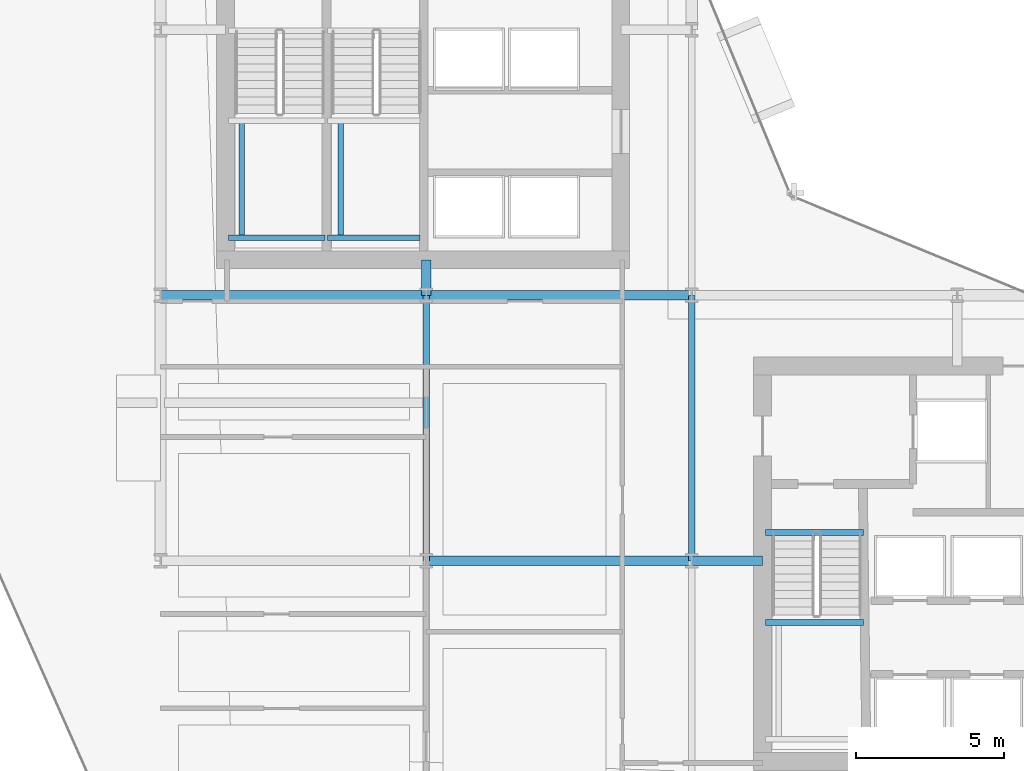
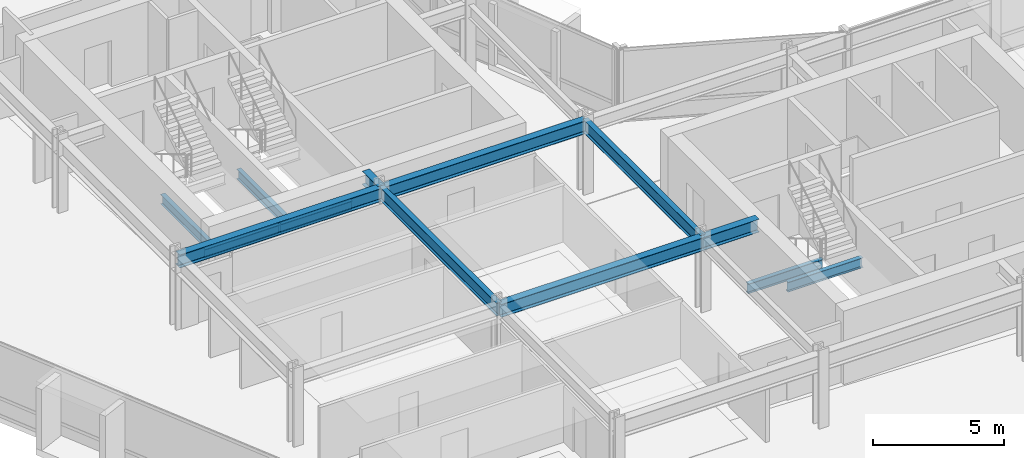
# One storey, part 7 of 34: 13 beams.
"""IFC4 building model written with IfcOpenShell, lengths in metres."""

from ifc_helpers import new_model, si_unit, direction, frame, origin, origin_2d, place, context, subcontext, project, spatial, i_section, extrude, material, material_profile, profile_set, type_object, element, save


model = new_model("IFC4")

# Units and contexts
model_context = context("Model", 3, precision=1e-05, world=origin(), true_north=direction((0.0, 1.0)))
body_context = subcontext(model_context, "Body", "Model", "MODEL_VIEW")
ifc_project = project(units=[si_unit("LENGTHUNIT", "METRE"), si_unit("AREAUNIT", "SQUARE_METRE"), si_unit("VOLUMEUNIT", "CUBIC_METRE"), si_unit("PLANEANGLEUNIT", "RADIAN"), si_unit("MASSUNIT", "GRAM", prefix="KILO")], contexts=[model_context])

# Site, building, storey
site_placement = place(None, origin())
site = spatial("IfcSite", under=ifc_project, at=site_placement, CompositionType="ELEMENT")
building_placement = place(site_placement, origin())
building = spatial("IfcBuilding", under=site, at=building_placement, Name="Solvaryn Broadcast Tower", CompositionType="ELEMENT")
storey_placement = place(building_placement, frame((0.0, 0.0, 61.89990234375)))
storey = spatial("IfcBuildingStorey", under=building, at=storey_placement, Name="L14", CompositionType="ELEMENT", Elevation=61.89990234375)

# Beams
ifc_material_1 = material(Name="Steel ASTM A992 Grade 50", Category="steel")
ifc_material_profile_1 = material_profile(ifc_material_1, i_section(OverallWidth=0.323974609375, OverallDepth=0.611083984375, WebThickness=0.0126953125, FlangeThickness=0.01904296875, FilletRadius=0.014892578125, at=origin_2d()))
ifc_profile_set_1 = profile_set([ifc_material_profile_1], Name="Steel ASTM A992 Grade 50")
beam_type_1 = type_object("IfcBeamType", Name="BM-B1-W24X104", PredefinedType="BEAM", material=ifc_profile_set_1)
for number, where, z_axis, x_axis, name in (
    (1, (18.0, 18.0, 3.114501953125), (1.0, 0.0, 0.0), (0.0, 1.0, 0.0), "L14 Primary Beam X (18-27 @ Y=18)"),
    (2, (9.0, 27.0, 3.114501953125), (1.0, 0.0, 0.0), (0.0, 1.0, 0.0), "L14 Primary Beam X (9-18 @ Y=27)"),
    (3, (18.0, 27.0, 3.114501953125), (1.0, 0.0, 0.0), (0.0, 1.0, 0.0), "L14 Primary Beam X (18-27 @ Y=27)"),
):
    element("IfcBeam", number, at=place(storey_placement, frame(where, z_axis=z_axis, x_axis=x_axis)), inside=storey, type_object=beam_type_1, Name=name, PredefinedType="BEAM", context=body_context, shape_type="SweptSolid", body=[
        extrude(i_section(OverallWidth=0.323974609375, OverallDepth=0.611083984375, WebThickness=0.0126953125, FlangeThickness=0.01904296875, FilletRadius=0.014892578125, at=origin_2d()), origin(), (0.0, 0.0, 1.0), 9.0),
    ])
beam_1_placement = place(storey_placement, frame((18.0, 27.0, 3.114501953125), z_axis=(0.0, 1.0, 0.0), x_axis=(-1.0, 0.0, 0.0)))
element("IfcBeam", 4, at=beam_1_placement, inside=storey, type_object=beam_type_1, Name="L14 Core Tie Beam CTW4", PredefinedType="BEAM", context=body_context, shape_type="SweptSolid", body=[
    extrude(i_section(OverallWidth=0.323974609375, OverallDepth=0.611083984375, WebThickness=0.0126953125, FlangeThickness=0.01904296875, FilletRadius=0.014892578125, at=origin_2d()), origin(), (0.0, 0.0, 1.0), 1.199951171875),
])
beam_2_placement = place(storey_placement, frame((27.0, 18.0, 3.114501953125), z_axis=(1.0, 0.0, 0.0), x_axis=(0.0, 1.0, 0.0)))
element("IfcBeam", 5, at=beam_2_placement, inside=storey, type_object=beam_type_1, Name="L14 Core Tie Beam CTE4", PredefinedType="BEAM", context=body_context, shape_type="SweptSolid", body=[
    extrude(i_section(OverallWidth=0.323974609375, OverallDepth=0.611083984375, WebThickness=0.0126953125, FlangeThickness=0.01904296875, FilletRadius=0.014892578125, at=origin_2d()), origin(), (0.0, 0.0, 1.0), 2.39990234375),
])
ifc_material_2 = material(Name="Steel ASTM A992 Grade 50", Category="steel")
ifc_material_profile_2 = material_profile(ifc_material_2, i_section(OverallWidth=0.22802734375, OverallDepth=0.60791015625, WebThickness=0.01123046875, FlangeThickness=0.017333984375, FilletRadius=0.014892578125, at=origin_2d()))
ifc_profile_set_2 = profile_set([ifc_material_profile_2], Name="Steel ASTM A992 Grade 50")
beam_type_2 = type_object("IfcBeamType", Name="BM-B2-W24X76", PredefinedType="BEAM", material=ifc_profile_set_2)
for number, where, z_axis, x_axis, name in (
    (6, (18.0, 18.0, 3.1162109375), (0.0, 1.0, 0.0), (-1.0, 0.0, 0.0), "L14 Primary Beam Y (18-27 @ X=18)"),
    (7, (27.0, 18.0, 3.1162109375), (0.0, 1.0, 0.0), (-1.0, 0.0, 0.0), "L14 Primary Beam Y (18-27 @ X=27)"),
):
    element("IfcBeam", number, at=place(storey_placement, frame(where, z_axis=z_axis, x_axis=x_axis)), inside=storey, type_object=beam_type_2, Name=name, PredefinedType="BEAM", context=body_context, shape_type="SweptSolid", body=[
        extrude(i_section(OverallWidth=0.22802734375, OverallDepth=0.60791015625, WebThickness=0.01123046875, FlangeThickness=0.017333984375, FilletRadius=0.014892578125, at=origin_2d()), origin(), (0.0, 0.0, 1.0), 9.0),
    ])
ifc_material_3 = material(Name="Steel ASTM A992 Grade 50", Category="steel")
ifc_material_profile_3 = material_profile(ifc_material_3, i_section(OverallWidth=0.18994140625, OverallDepth=0.45703125, WebThickness=0.009033203125, FlangeThickness=0.014404296875, FilletRadius=0.011962890625, at=origin_2d()))
ifc_profile_set_3 = profile_set([ifc_material_profile_3], Name="Steel ASTM A992 Grade 50")
beam_type_3 = type_object("IfcBeamType", Name="BM-B4-W18X50", PredefinedType="BEAM", material=ifc_profile_set_3)
beam_3_placement = place(storey_placement, frame((11.300048828125, 28.949951171875, 1.421630859375), z_axis=(1.0, 0.0, 0.0), x_axis=(0.0, 1.0, 0.0)))
element("IfcBeam", 8, at=beam_3_placement, inside=storey, type_object=beam_type_3, Name="L14 ST1 Landing Support Beam 1A", PredefinedType="BEAM", context=body_context, shape_type="SweptSolid", body=[
    extrude(i_section(OverallWidth=0.18994140625, OverallDepth=0.45703125, WebThickness=0.009033203125, FlangeThickness=0.014404296875, FilletRadius=0.011962890625, at=origin_2d()), origin(), (0.0, 0.0, 1.0), 3.280029296875),
])
beam_4_placement = place(storey_placement, frame((11.75, 28.949951171875, 1.421630859375), z_axis=(0.0, 1.0, 0.0), x_axis=(-1.0, 0.0, 0.0)))
element("IfcBeam", 9, at=beam_4_placement, inside=storey, type_object=beam_type_3, Name="L14 ST1 Landing Cross Stringer 1C", PredefinedType="BEAM", context=body_context, shape_type="SweptSolid", body=[
    extrude(i_section(OverallWidth=0.18994140625, OverallDepth=0.45703125, WebThickness=0.009033203125, FlangeThickness=0.014404296875, FilletRadius=0.011962890625, at=origin_2d()), origin(), (0.0, 0.0, 1.0), 3.9599609375),
])
beam_5_placement = place(storey_placement, frame((14.659912109375, 28.949951171875, 1.421630859375), z_axis=(1.0, 0.0, 0.0), x_axis=(0.0, 1.0, 0.0)))
element("IfcBeam", 10, at=beam_5_placement, inside=storey, type_object=beam_type_3, Name="L14 ST2 Landing Support Beam 1A", PredefinedType="BEAM", context=body_context, shape_type="SweptSolid", body=[
    extrude(i_section(OverallWidth=0.18994140625, OverallDepth=0.45703125, WebThickness=0.009033203125, FlangeThickness=0.014404296875, FilletRadius=0.011962890625, at=origin_2d()), origin(), (0.0, 0.0, 1.0), 3.14013671875),
])
beam_6_placement = place(storey_placement, frame((15.110107421875, 28.949951171875, 1.421630859375), z_axis=(0.0, 1.0, 0.0), x_axis=(-1.0, 0.0, 0.0)))
element("IfcBeam", 11, at=beam_6_placement, inside=storey, type_object=beam_type_3, Name="L14 ST2 Landing Cross Stringer 1C", PredefinedType="BEAM", context=body_context, shape_type="SweptSolid", body=[
    extrude(i_section(OverallWidth=0.18994140625, OverallDepth=0.45703125, WebThickness=0.009033203125, FlangeThickness=0.014404296875, FilletRadius=0.011962890625, at=origin_2d()), origin(), (0.0, 0.0, 1.0), 3.9599609375),
])
for number, where, z_axis, x_axis, name in (
    (12, (29.5, 18.9599609375, -0.50830078125), (1.0, 0.0, 0.0), (0.0, 1.0, 0.0), "L14 ST3 Stair Well Trimmer Beam"),
    (13, (29.5, 15.909912109375, 1.421630859375), (1.0, 0.0, 0.0), (0.0, 1.0, 0.0), "L14 ST3 Landing Support Beam 1B"),
):
    element("IfcBeam", number, at=place(storey_placement, frame(where, z_axis=z_axis, x_axis=x_axis)), inside=storey, type_object=beam_type_3, Name=name, PredefinedType="BEAM", context=body_context, shape_type="SweptSolid", body=[
        extrude(i_section(OverallWidth=0.18994140625, OverallDepth=0.45703125, WebThickness=0.009033203125, FlangeThickness=0.014404296875, FilletRadius=0.011962890625, at=origin_2d()), origin(), (0.0, 0.0, 1.0), 3.320068359375),
    ])

save(model, "model.ifc")
